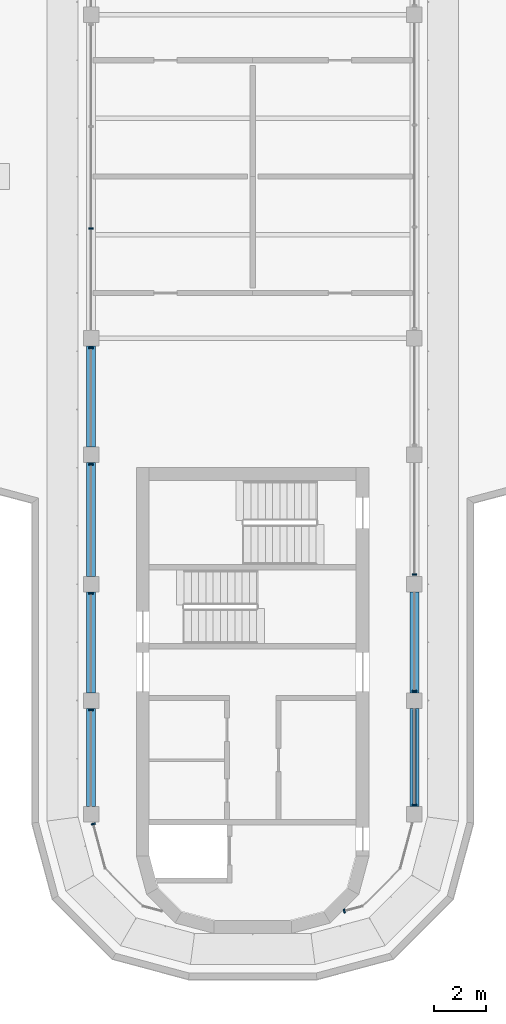
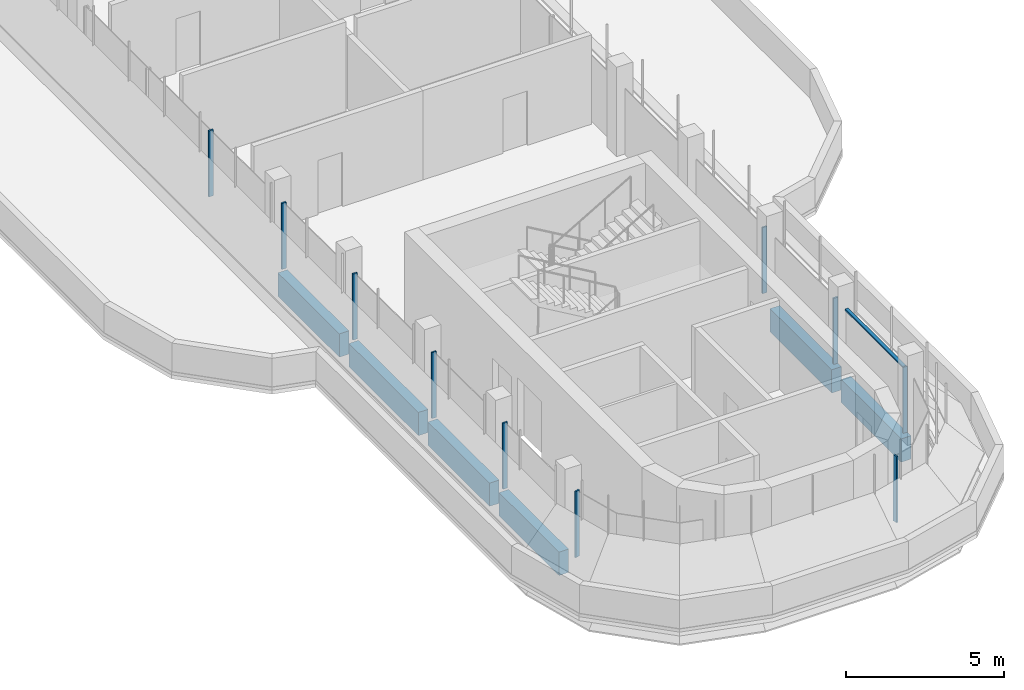
# One storey, part 2 of 12: 11 members, 6 beams, 4 elements without a shape of their own.
"""IFC4 building model written with IfcOpenShell, lengths in metres."""

import ifcopenshell
import ifcopenshell.guid

model = None  # the IFC model being written
_history = None  # IfcOwnerHistory: only IFC2X3 demands one
_inside = {}  # id of a spatial element -> (the spatial element, [elements in it])
_under = {}  # id of a project, library or spatial element -> (it, [spatial elements below it])
_declared = {}  # id of a project -> (the project, [libraries it declares])
_typed = {}  # id of a type object -> (the type object, [elements of that type])
_made_of = {}  # id of a material, layer set ... -> (it, [elements and type objects made of it])


def new_model(schema):
    """Start an empty IFC model of exactly this schema.

    Asked for "IFC4X3", IfcOpenShell would pick the latest addendum, in which some entities
    have other attributes; the version numbers below select the first issue.
    IFC2X3 requires an IfcOwnerHistory on every rooted entity: one is made here for all.
    """
    global model, _history
    if schema == "IFC4X3":
        model = ifcopenshell.file(schema_version=(4, 3, 0, 0))
    else:
        model = ifcopenshell.file(schema=schema)
    _inside.clear()
    _under.clear()
    _declared.clear()
    _typed.clear()
    _made_of.clear()
    _history = None
    if model.schema == "IFC2X3":
        org = make("IfcOrganization", Name="unknown")
        user = make(
            "IfcPersonAndOrganization",
            ThePerson=make("IfcPerson", FamilyName="unknown"),
            TheOrganization=org,
        )
        app = make(
            "IfcApplication",
            ApplicationDeveloper=org,
            Version="unknown",
            ApplicationFullName="unknown",
            ApplicationIdentifier="unknown",
        )
        _history = make(
            "IfcOwnerHistory",
            OwningUser=user,
            OwningApplication=app,
            ChangeAction="ADDED",
            CreationDate=0,
        )
    return model


def make(cls, **values):
    """One entity of the class cls with the attributes given. An attribute that is None is left unset."""
    return model.create_entity(
        cls, **{name: value for name, value in values.items() if value is not None}
    )


def rooted(cls, **values):
    """An entity with a GlobalId (a new one), such as an element, a storey or a relation."""
    return make(cls, GlobalId=ifcopenshell.guid.new(), OwnerHistory=_history, **values)


def si_unit(unit_type, name, prefix=None):
    """IfcSIUnit, for example si_unit("LENGTHUNIT", "METRE", prefix="MILLI")."""
    return make("IfcSIUnit", UnitType=unit_type, Prefix=prefix, Name=name)


def assignment(units):
    """IfcUnitAssignment: the units of a project."""
    return None if units is None else make("IfcUnitAssignment", Units=units)


def point(xyz):
    """IfcCartesianPoint."""
    return None if xyz is None else make("IfcCartesianPoint", Coordinates=xyz)


def direction(xyz):
    """IfcDirection."""
    return None if xyz is None else make("IfcDirection", DirectionRatios=xyz)


def frame(location, z_axis=None, x_axis=None):
    """IfcAxis2Placement3D, a coordinate frame: its origin and axes. An axis left out is left unset."""
    return make(
        "IfcAxis2Placement3D",
        Location=point(location),
        Axis=direction(z_axis),
        RefDirection=direction(x_axis),
    )


def frame_2d(location, x_axis=None):
    """IfcAxis2Placement2D, a coordinate frame in the plane: its origin and x axis."""
    return make(
        "IfcAxis2Placement2D", Location=point(location), RefDirection=direction(x_axis)
    )


def origin():
    """The frame at (0, 0, 0) with its axes left unset."""
    return frame((0.0, 0.0, 0.0))


def origin_2d():
    """The frame at (0, 0) in the plane with its x axis left unset."""
    return frame_2d((0.0, 0.0))


def place(relative_to, where):
    """IfcLocalPlacement: puts the frame where relative to a parent placement (None: the world)."""
    return make(
        "IfcLocalPlacement", PlacementRelTo=relative_to, RelativePlacement=where
    )


def context(
    kind, dimensions, precision=None, world=None, true_north=None, identifier=None
):
    """IfcGeometricRepresentationContext, for example the 3D "Model" context."""
    return make(
        "IfcGeometricRepresentationContext",
        ContextIdentifier=identifier,
        ContextType=kind,
        CoordinateSpaceDimension=dimensions,
        Precision=precision,
        WorldCoordinateSystem=world,
        TrueNorth=true_north,
    )


def subcontext(parent, identifier, kind, view, scale=None):
    """IfcGeometricRepresentationSubContext, for example "Body" below "Model"."""
    return make(
        "IfcGeometricRepresentationSubContext",
        ContextIdentifier=identifier,
        ContextType=kind,
        ParentContext=parent,
        TargetScale=scale,
        TargetView=view,
    )


def project(units=None, contexts=None):
    """IfcProject with its units and contexts."""
    return rooted(
        "IfcProject",
        Name="project",
        RepresentationContexts=contexts,
        UnitsInContext=assignment(units),
    )


def spatial(cls, under=None, at=None, **own):
    """A site, building, storey or space (cls), placed at a placement, below another one or the project."""
    s = rooted(cls, ObjectPlacement=at, **own)
    if under is not None:
        _under.setdefault(under.id(), (under, []))[1].append(s)
    return s


def polyline(points):
    """IfcPolyline through the points."""
    return make("IfcPolyline", Points=[point(p) for p in points])


def profile(cls, at=None, kind="AREA", **sizes):
    """A parametric profile (cls). Its sizes go by their IFC names, for example OverallWidth=200.0."""
    return make(cls, ProfileType=kind, Position=at, **sizes)


def rectangle(**sizes):
    """IfcRectangleProfileDef."""
    return profile("IfcRectangleProfileDef", **sizes)


def outline(outer, holes=None, kind="AREA"):
    """IfcArbitraryClosedProfileDef: a profile drawn as a closed curve; with holes, ...WithVoids."""
    if holes is None:
        return make("IfcArbitraryClosedProfileDef", ProfileType=kind, OuterCurve=outer)
    return make(
        "IfcArbitraryProfileDefWithVoids",
        ProfileType=kind,
        OuterCurve=outer,
        InnerCurves=holes,
    )


def extrude(swept, where, along, depth):
    """IfcExtrudedAreaSolid: the profile swept, set in the frame where, extruded along a direction by depth."""
    return make(
        "IfcExtrudedAreaSolid",
        SweptArea=swept,
        Position=where,
        ExtrudedDirection=direction(along),
        Depth=depth,
    )


def shape(context_of_items, identifier, shape_type, items):
    """IfcShapeRepresentation: the items that make up one representation, for example the "Body"."""
    return make(
        "IfcShapeRepresentation",
        ContextOfItems=context_of_items,
        RepresentationIdentifier=identifier,
        RepresentationType=shape_type,
        Items=items,
    )


def source(mapping_origin, context_of_items, identifier, shape_type, items):
    """IfcRepresentationMap: a shape defined once, which mapped items show again and again."""
    return make(
        "IfcRepresentationMap",
        MappingOrigin=mapping_origin,
        MappedRepresentation=shape(context_of_items, identifier, shape_type, items),
    )


def transform(
    local_origin,
    x_axis=None,
    y_axis=None,
    z_axis=None,
    scale=None,
    scale2=None,
    scale3=None,
    uniform=True,
):
    """IfcCartesianTransformationOperator3D, or its non-uniform kind. x_axis, y_axis, z_axis: its Axis1, 2, 3."""
    if uniform:
        return make(
            "IfcCartesianTransformationOperator3D",
            Axis1=direction(x_axis),
            Axis2=direction(y_axis),
            LocalOrigin=point(local_origin),
            Scale=scale,
            Axis3=direction(z_axis),
        )
    return make(
        "IfcCartesianTransformationOperator3DnonUniform",
        Axis1=direction(x_axis),
        Axis2=direction(y_axis),
        LocalOrigin=point(local_origin),
        Scale=scale,
        Axis3=direction(z_axis),
        Scale2=scale2,
        Scale3=scale3,
    )


def mapped(mapping_source, mapping_target):
    """IfcMappedItem: shows the shape of a source again, moved by a transform."""
    return make(
        "IfcMappedItem", MappingSource=mapping_source, MappingTarget=mapping_target
    )


def material(Name=None, Category=None):
    """IfcMaterial."""
    return make("IfcMaterial", Name=Name, Category=Category)


def material_profile(
    of_material, cross_section, Name=None, Category=None, Priority=None
):
    """IfcMaterialProfile: a cross section and its material."""
    return make(
        "IfcMaterialProfile",
        Name=Name,
        Material=of_material,
        Profile=cross_section,
        Priority=Priority,
        Category=Category,
    )


def profile_set(profiles, Name=None, composite=None):
    """IfcMaterialProfileSet."""
    return make(
        "IfcMaterialProfileSet",
        Name=Name,
        MaterialProfiles=profiles,
        CompositeProfile=composite,
    )


def made_of(thing, what):
    """Note that an element or type object is made of a material, layer set ...; save() writes the relation."""
    if what is not None:
        _made_of.setdefault(what.id(), (what, []))[1].append(thing)
    return thing


def type_object(cls, material=None, **own):
    """A type object (cls), such as IfcWallType, which elements share."""
    return made_of(rooted(cls, **own), material)


def element(
    cls,
    number,
    at=None,
    inside=None,
    cuts=None,
    type_object=None,
    material=None,
    context=None,
    identifier="Body",
    shape_type=None,
    held_by="IfcProductDefinitionShape",
    body=None,
    shapes=None,
    **own,
):
    """One element of the class cls, such as IfcWall. Its Tag is "e" and its number.

    at: its placement. inside: the storey or other place that contains it. cuts: it is an
    opening in that element (IfcRelVoidsElement). A single representation is given by context,
    identifier, shape_type and body (its items); several are given by shapes. held_by: the class
    of the entity that holds the representations. save() writes the other relations.
    """
    e = rooted(cls, Tag="e%d" % number, ObjectPlacement=at, **own)
    if body is not None:
        shapes = [shape(context, identifier, shape_type, body)]
    if shapes is not None:
        e.Representation = make(held_by, Representations=shapes)
    if inside is not None:
        _inside.setdefault(inside.id(), (inside, []))[1].append(e)
    if cuts is not None:
        rooted(
            "IfcRelVoidsElement", RelatingBuildingElement=cuts, RelatedOpeningElement=e
        )
    if type_object is not None:
        _typed.setdefault(type_object.id(), (type_object, []))[1].append(e)
    return made_of(e, material)


def aggregate(whole, parts):
    """IfcRelAggregates: a whole, such as a stair, and the parts it consists of."""
    return rooted("IfcRelAggregates", RelatingObject=whole, RelatedObjects=parts)


def save(model, path):
    """Write the relations noted so far, then the file.

    IfcRelAggregates (storeys below a building ...), IfcRelContainedInSpatialStructure (elements
    in a storey), IfcRelDefinesByType, IfcRelAssociatesMaterial and IfcRelDeclares: one each for
    every whole, place, type object, material and project.
    """
    for whole, parts in _under.values():
        aggregate(whole, parts)
    for where, things in _inside.values():
        rooted(
            "IfcRelContainedInSpatialStructure",
            RelatedElements=things,
            RelatingStructure=where,
        )
    for kind, things in _typed.values():
        rooted("IfcRelDefinesByType", RelatedObjects=things, RelatingType=kind)
    for what, things in _made_of.values():
        rooted("IfcRelAssociatesMaterial", RelatedObjects=things, RelatingMaterial=what)
    for by, libraries in _declared.values():
        rooted("IfcRelDeclares", RelatingContext=by, RelatedDefinitions=libraries)
    model.write(path)


model = new_model("IFC4")

# Units and contexts
model_context = context("Model", 3, precision=1e-05, world=origin(), true_north=direction((0.0, 1.0)))
body_context = subcontext(model_context, "Body", "Model", "MODEL_VIEW")
ifc_project = project(units=[si_unit("LENGTHUNIT", "METRE"), si_unit("AREAUNIT", "SQUARE_METRE"), si_unit("VOLUMEUNIT", "CUBIC_METRE"), si_unit("PLANEANGLEUNIT", "RADIAN"), si_unit("MASSUNIT", "GRAM", prefix="KILO")], contexts=[model_context])

# Site, building, storey
site_placement = place(None, origin())
site = spatial("IfcSite", under=ifc_project, at=site_placement, CompositionType="ELEMENT")
building_placement = place(site_placement, origin())
building = spatial("IfcBuilding", under=site, at=building_placement, Name="Zarbagh Exchange Tower", CompositionType="ELEMENT")
storey_placement = place(building_placement, frame((0.0, 0.0, 306.0)))
storey = spatial("IfcBuildingStorey", under=building, at=storey_placement, Name="L75", CompositionType="ELEMENT", Elevation=306.0)

# Beams
ifc_material_1 = material(Name="Concrete C40/50", Category="concrete")
ifc_material_profile = material_profile(ifc_material_1, rectangle(XDim=0.35009765625, YDim=0.89990234375, at=origin_2d()), Name="RC spandrel beam 350 x 900 C40/50")
ifc_profile_set = profile_set([ifc_material_profile], Name="Concrete C40/50")
beam_type = type_object("IfcBeamType", Name="RC spandrel beam 350 x 900 C40/50", PredefinedType="SPANDREL", material=ifc_profile_set)
beam_1_placement = place(storey_placement, frame((-6.25, -24.35009765625, -0.60009765625), z_axis=(0.0, 1.0, 0.0), x_axis=(-1.0, 0.0, 0.0)))
element("IfcBeam", 1, at=beam_1_placement, inside=storey, type_object=beam_type, Name="RC spandrel beam", PredefinedType="SPANDREL", context=body_context, shape_type="SweptSolid", body=[
    extrude(rectangle(XDim=0.35009765625, YDim=0.89990234375, at=origin_2d()), origin(), (0.0, 0.0, 1.0), 3.800048828125),
])
beam_2_placement = place(storey_placement, frame((-6.25, -19.949951171875, -0.60009765625), z_axis=(0.0, 1.0, 0.0), x_axis=(-1.0, 0.0, 0.0)))
element("IfcBeam", 2, at=beam_2_placement, inside=storey, type_object=beam_type, Name="RC spandrel beam", PredefinedType="SPANDREL", context=body_context, shape_type="SweptSolid", body=[
    extrude(rectangle(XDim=0.35009765625, YDim=0.89990234375, at=origin_2d()), origin(), (0.0, 0.0, 1.0), 3.89990234375),
])
beam_3_placement = place(storey_placement, frame((-6.25, -15.449951171875, -0.60009765625), z_axis=(0.0, 1.0, 0.0), x_axis=(-1.0, 0.0, 0.0)))
element("IfcBeam", 3, at=beam_3_placement, inside=storey, type_object=beam_type, Name="RC spandrel beam", PredefinedType="SPANDREL", context=body_context, shape_type="SweptSolid", body=[
    extrude(rectangle(XDim=0.35009765625, YDim=0.89990234375, at=origin_2d()), origin(), (0.0, 0.0, 1.0), 4.39990234375),
])
for number, where, z_axis, x_axis, name in (
    (4, (-6.25, -10.449951171875, -0.60009765625), (0.0, 1.0, 0.0), (-1.0, 0.0, 0.0), "RC spandrel beam"),
    (5, (6.25, -16.050048828125, -0.60009765625), (0.0, -1.0, 0.0), (1.0, 0.0, 0.0), "RC spandrel beam"),
):
    element("IfcBeam", number, at=place(storey_placement, frame(where, z_axis=z_axis, x_axis=x_axis)), inside=storey, type_object=beam_type, Name=name, PredefinedType="SPANDREL", context=body_context, shape_type="SweptSolid", body=[
        extrude(rectangle(XDim=0.35009765625, YDim=0.89990234375, at=origin_2d()), origin(), (0.0, 0.0, 1.0), 3.89990234375),
    ])
beam_4_placement = place(storey_placement, frame((6.25, -20.550048828125, -0.60009765625), z_axis=(0.0, -1.0, 0.0), x_axis=(1.0, 0.0, 0.0)))
element("IfcBeam", 6, at=beam_4_placement, inside=storey, type_object=beam_type, Name="RC spandrel beam", PredefinedType="SPANDREL", context=body_context, shape_type="SweptSolid", body=[
    extrude(rectangle(XDim=0.35009765625, YDim=0.89990234375, at=origin_2d()), origin(), (0.0, 0.0, 1.0), 3.800048828125),
])

# Curtain wall, member
ifc_material_2 = material(Name="Anodised aluminium frame and glazing", Category="aluminium")
curtain_wall_type = type_object("IfcCurtainWallType", Name="CWF Crown tier glazing", PredefinedType="NOTDEFINED", material=ifc_material_2)
curtain_wall_1_placement = place(storey_placement, origin())
curtain_wall_1 = element("IfcCurtainWall", 7, at=curtain_wall_1_placement, inside=storey, type_object=curtain_wall_type, Name="CWF49 curtain wall", PredefinedType="NOTDEFINED")
ifc_material_3 = material(Name="Anodised aluminium frame", Category="aluminium")
member_type_1 = type_object("IfcMemberType", Name="TRF Transom, anodised aluminium frame", PredefinedType="USERDEFINED", material=ifc_material_3)
shared_shape_1 = source(origin(), body_context, "Body", "SweptSolid", [
    extrude(outline(polyline([(-0.06005859375, -0.06005859375), (0.0, -0.06005859375), (0.0, 0.06005859375), (-0.06005859375, 0.06005859375), (-0.06005859375, -0.06005859375)])), origin(), (0.0, 0.0, 1.0), 3.659912109375),
])
placement = place(storey_placement, origin())
member_1 = element("IfcMember", 8, at=placement, type_object=member_type_1, Name="CWF49 transom 1.1", ObjectType="TRANSOM", PredefinedType="USERDEFINED", context=body_context, shape_type="MappedRepresentation", body=[
    mapped(shared_shape_1, transform((6.25, -24.25, 2.550048828125), x_axis=(0.0, 0.0, 1.0), y_axis=(1.0, 0.0, 0.0), z_axis=(0.0, 1.0, 0.0))),
])

curtain_wall_2_placement = place(storey_placement, origin())
curtain_wall_2 = element("IfcCurtainWall", 9, at=curtain_wall_2_placement, inside=storey, type_object=curtain_wall_type, Name="CWF01 curtain wall", PredefinedType="NOTDEFINED")
member_type_2 = type_object("IfcMemberType", Name="MUF Mullion, anodised aluminium frame", PredefinedType="MULLION", material=ifc_material_3)
shared_shape_2 = source(origin(), body_context, "Body", "SweptSolid", [
    extrude(outline(polyline([(0.0, -0.080078125), (0.06005859375, -0.080078125), (0.06005859375, 0.080078125), (0.0, 0.080078125), (0.0, -0.080078125)])), origin(), (0.0, 0.0, 1.0), 2.550048828125),
])
member_2 = element("IfcMember", 10, at=placement, type_object=member_type_2, Name="CWF01 mullion 1.1", PredefinedType="MULLION", context=body_context, shape_type="MappedRepresentation", body=[
    mapped(shared_shape_2, transform((3.510009765625, -28.394775390625, 0.0), x_axis=(0.965924289636, 0.258824779902, 0.0), y_axis=(-0.258824779902, 0.965924289636, 0.0), z_axis=(0.0, 0.0, 1.0))),
])
aggregate(curtain_wall_2, [member_2])

# Member
member_3 = element("IfcMember", 11, at=placement, type_object=member_type_2, Name="CWF49 mullion 1.1", PredefinedType="MULLION", context=body_context, shape_type="MappedRepresentation", body=[
    mapped(shared_shape_2, transform((6.25, -24.31005859375, 0.0), x_axis=(0.0, 1.0, 0.0), y_axis=(-1.0, 0.0, 0.0), z_axis=(0.0, 0.0, 1.0))),
])

member_4 = element("IfcMember", 12, at=placement, type_object=member_type_2, Name="CWF49 mullion 2.1", PredefinedType="MULLION", context=body_context, shape_type="MappedRepresentation", body=[
    mapped(shared_shape_2, transform((6.25, -19.909912109375, 0.0), x_axis=(0.0, 1.0, 0.0), y_axis=(-1.0, 0.0, 0.0), z_axis=(0.0, 0.0, 1.0))),
])

member_5 = element("IfcMember", 13, at=placement, type_object=member_type_2, Name="CWF49 mullion 3.1", PredefinedType="MULLION", context=body_context, shape_type="MappedRepresentation", body=[
    mapped(shared_shape_2, transform((6.25, -15.409912109375, 0.0), x_axis=(0.0, 1.0, 0.0), y_axis=(-1.0, 0.0, 0.0), z_axis=(0.0, 0.0, 1.0))),
])

aggregate(curtain_wall_1, [member_3, member_1, member_4, member_5])

# Curtain wall, members
curtain_wall_3_placement = place(storey_placement, origin())
curtain_wall_3 = element("IfcCurtainWall", 14, at=curtain_wall_3_placement, inside=storey, type_object=curtain_wall_type, Name="CWF50 curtain wall", PredefinedType="NOTDEFINED")
member_6 = element("IfcMember", 15, at=placement, type_object=member_type_2, Name="CWF50 mullion 5.3", PredefinedType="MULLION", context=body_context, shape_type="MappedRepresentation", body=[
    mapped(shared_shape_2, transform((-6.25, -1.969970703125, 0.0), x_axis=(0.0, -1.0, 0.0), y_axis=(1.0, 0.0, 0.0), z_axis=(0.0, 0.0, 1.0))),
])
member_7 = element("IfcMember", 16, at=placement, type_object=member_type_2, Name="CWF50 mullion 6.1", PredefinedType="MULLION", context=body_context, shape_type="MappedRepresentation", body=[
    mapped(shared_shape_2, transform((-6.25, -6.590087890625, 0.0), x_axis=(0.0, -1.0, 0.0), y_axis=(1.0, 0.0, 0.0), z_axis=(0.0, 0.0, 1.0))),
])
member_8 = element("IfcMember", 17, at=placement, type_object=member_type_2, Name="CWF50 mullion 7.1", PredefinedType="MULLION", context=body_context, shape_type="MappedRepresentation", body=[
    mapped(shared_shape_2, transform((-6.25, -11.090087890625, 0.0), x_axis=(0.0, -1.0, 0.0), y_axis=(1.0, 0.0, 0.0), z_axis=(0.0, 0.0, 1.0))),
])
member_9 = element("IfcMember", 18, at=placement, type_object=member_type_2, Name="CWF50 mullion 8.1", PredefinedType="MULLION", context=body_context, shape_type="MappedRepresentation", body=[
    mapped(shared_shape_2, transform((-6.25, -16.090087890625, 0.0), x_axis=(0.0, -1.0, 0.0), y_axis=(1.0, 0.0, 0.0), z_axis=(0.0, 0.0, 1.0))),
])
member_10 = element("IfcMember", 19, at=placement, type_object=member_type_2, Name="CWF50 mullion 9.1", PredefinedType="MULLION", context=body_context, shape_type="MappedRepresentation", body=[
    mapped(shared_shape_2, transform((-6.25, -20.590087890625, 0.0), x_axis=(0.0, -1.0, 0.0), y_axis=(1.0, 0.0, 0.0), z_axis=(0.0, 0.0, 1.0))),
])
aggregate(curtain_wall_3, [member_6, member_7, member_8, member_9, member_10])

# Curtain wall, member
curtain_wall_4_placement = place(storey_placement, origin())
curtain_wall_4 = element("IfcCurtainWall", 20, at=curtain_wall_4_placement, inside=storey, type_object=curtain_wall_type, Name="CWF44 curtain wall", PredefinedType="NOTDEFINED")
member_11 = element("IfcMember", 21, at=placement, type_object=member_type_2, Name="CWF44 mullion 1.1", PredefinedType="MULLION", context=body_context, shape_type="MappedRepresentation", body=[
    mapped(shared_shape_2, transform((-6.16796875, -24.989990234375, 0.0), x_axis=(0.258824779902, -0.965924289636, 0.0), y_axis=(0.965924289636, 0.258824779902, 0.0), z_axis=(0.0, 0.0, 1.0))),
])
aggregate(curtain_wall_4, [member_11])

save(model, "model.ifc")
